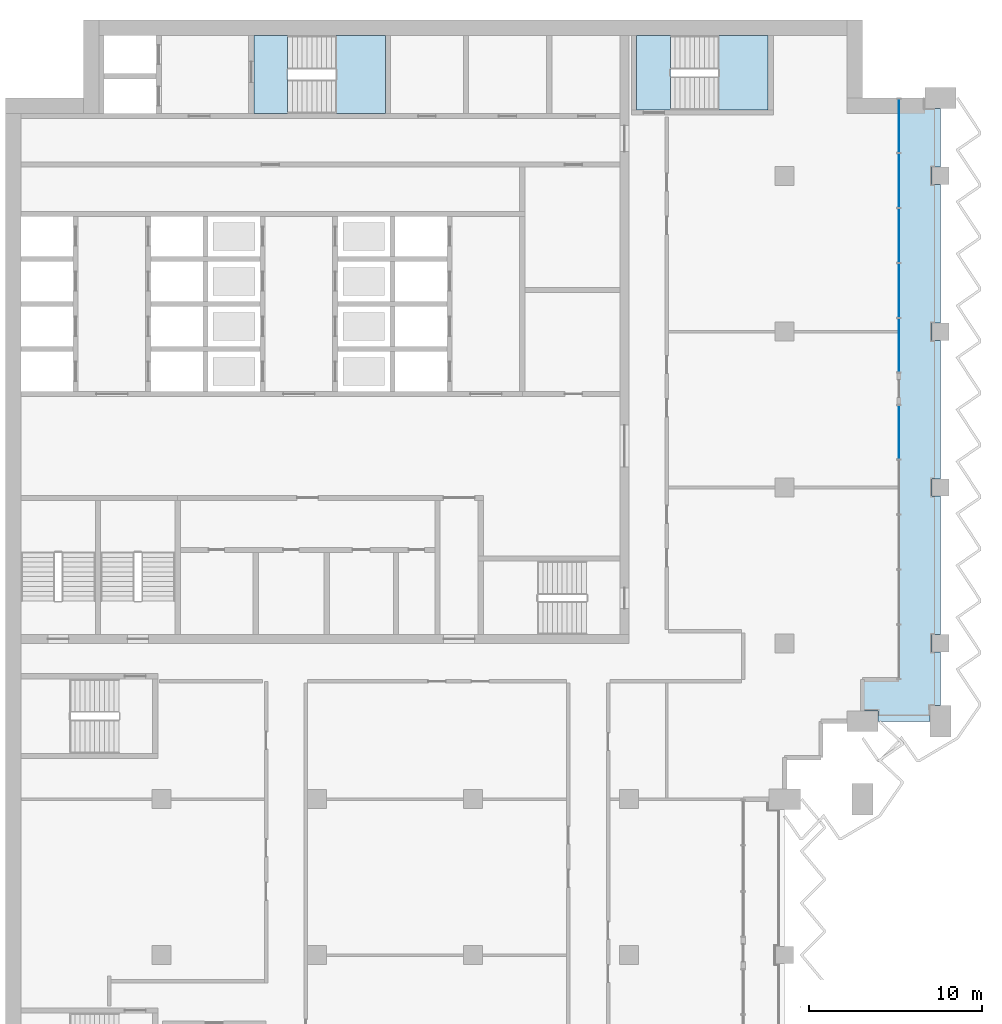
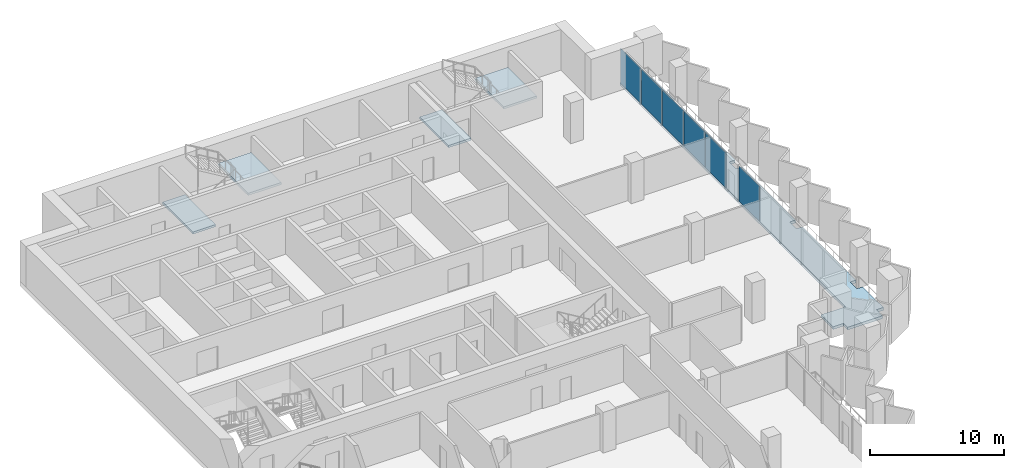
# One storey, part 5 of 18: 6 plates, 5 slabs, 4 elements without a shape of their own.
"""IFC4 building model written with IfcOpenShell, lengths in metres."""

from ifc_helpers import new_model, si_unit, direction, frame, origin, origin_2d, place, context, subcontext, project, spatial, polyline, rectangle, outline, extrude, material, layer, layer_set, type_object, element, aggregate, save


model = new_model("IFC4")

# Units and contexts
model_context = context("Model", 3, precision=1e-05, world=origin(), true_north=direction((0.0, 1.0)))
body_context = subcontext(model_context, "Body", "Model", "MODEL_VIEW")
ifc_project = project(units=[si_unit("LENGTHUNIT", "METRE"), si_unit("AREAUNIT", "SQUARE_METRE"), si_unit("VOLUMEUNIT", "CUBIC_METRE"), si_unit("PLANEANGLEUNIT", "RADIAN"), si_unit("MASSUNIT", "GRAM", prefix="KILO")], contexts=[model_context])

# Site, building, storey
site_placement = place(None, origin())
site = spatial("IfcSite", under=ifc_project, at=site_placement, CompositionType="ELEMENT")
building_placement = place(site_placement, origin())
building = spatial("IfcBuilding", under=site, at=building_placement, Name="Hunhe Ridgeline Campus", CompositionType="ELEMENT")
storey_placement = place(building_placement, frame((0.0, 0.0, 182.800048828125)))
storey = spatial("IfcBuildingStorey", under=building, at=storey_placement, Name="L46", CompositionType="ELEMENT", Elevation=182.800048828125)

# Curtain wall, plate
ifc_material_1 = material(Name="Aluminium 6063", Category="aluminium")
curtain_wall_type = type_object("IfcCurtainWallType", Name="Curtain wall CW-4", PredefinedType="NOTDEFINED", material=ifc_material_1)
curtain_wall_1_placement = place(storey_placement, origin())
curtain_wall_1 = element("IfcCurtainWall", 1, at=curtain_wall_1_placement, inside=storey, type_object=curtain_wall_type, Name="Curtain wall 15", PredefinedType="NOTDEFINED")
ifc_material_2 = material(Name="Low-e laminated glass", Category="glass")
ifc_layer_1 = layer(ifc_material_2, 0.028076171875)
ifc_layer_set_1 = layer_set([ifc_layer_1], Name="Curtain wall glass panel 28 low-e laminated")
plate_type = type_object("IfcPlateType", Name="Curtain wall glass panel 28 low-e laminated", PredefinedType="CURTAIN_PANEL", material=ifc_layer_set_1)
plate_1_placement = place(storey_placement, frame((51.59912109375, 75.1904296875, 0.0), z_axis=(0.0, 0.0, 1.0), x_axis=(0.0, 1.0, 0.0)))
plate_1 = element("IfcPlate", 2, at=plate_1_placement, type_object=plate_type, Name="CW-4 panel 5", PredefinedType="CURTAIN_PANEL", context=body_context, shape_type="SweptSolid", body=[
    extrude(rectangle(XDim=3.059814453125, YDim=0.028076171875, at=origin_2d()), origin(), (0.0, 0.0, 1.0), 3.219970703125),
])
aggregate(curtain_wall_1, [plate_1])

# Curtain wall, plates
curtain_wall_2_placement = place(storey_placement, origin())
curtain_wall_2 = element("IfcCurtainWall", 3, at=curtain_wall_2_placement, inside=storey, type_object=curtain_wall_type, Name="Curtain wall 16", PredefinedType="NOTDEFINED")
plate_2_placement = place(storey_placement, frame((51.59912109375, 80.21044921875, 0.0), z_axis=(0.0, 0.0, 1.0), x_axis=(0.0, 1.0, 0.0)))
plate_2 = element("IfcPlate", 4, at=plate_2_placement, type_object=plate_type, Name="CW-4 panel 1", PredefinedType="CURTAIN_PANEL", context=body_context, shape_type="SweptSolid", body=[
    extrude(rectangle(XDim=3.059814453125, YDim=0.028076171875, at=origin_2d()), origin(), (0.0, 0.0, 1.0), 3.219970703125),
])
plate_3_placement = place(storey_placement, frame((51.59912109375, 83.370361328125, 0.0), z_axis=(0.0, 0.0, 1.0), x_axis=(0.0, 1.0, 0.0)))
plate_3 = element("IfcPlate", 5, at=plate_3_placement, type_object=plate_type, Name="CW-4 panel 2", PredefinedType="CURTAIN_PANEL", context=body_context, shape_type="SweptSolid", body=[
    extrude(rectangle(XDim=3.099853515625, YDim=0.028076171875, at=origin_2d()), origin(), (0.0, 0.0, 1.0), 3.219970703125),
])
plate_4_placement = place(storey_placement, frame((51.59912109375, 86.55029296875, 0.0), z_axis=(0.0, 0.0, 1.0), x_axis=(0.0, 1.0, 0.0)))
plate_4 = element("IfcPlate", 6, at=plate_4_placement, type_object=plate_type, Name="CW-4 panel 3", PredefinedType="CURTAIN_PANEL", context=body_context, shape_type="SweptSolid", body=[
    extrude(rectangle(XDim=3.099853515625, YDim=0.028076171875, at=origin_2d()), origin(), (0.0, 0.0, 1.0), 3.219970703125),
])
plate_5_placement = place(storey_placement, frame((51.59912109375, 89.730224609375, 0.0), z_axis=(0.0, 0.0, 1.0), x_axis=(0.0, 1.0, 0.0)))
plate_5 = element("IfcPlate", 7, at=plate_5_placement, type_object=plate_type, Name="CW-4 panel 4", PredefinedType="CURTAIN_PANEL", context=body_context, shape_type="SweptSolid", body=[
    extrude(rectangle(XDim=3.099853515625, YDim=0.028076171875, at=origin_2d()), origin(), (0.0, 0.0, 1.0), 3.219970703125),
])
plate_6_placement = place(storey_placement, frame((51.59912109375, 92.89013671875, 0.0), z_axis=(0.0, 0.0, 1.0), x_axis=(0.0, 1.0, 0.0)))
plate_6 = element("IfcPlate", 8, at=plate_6_placement, type_object=plate_type, Name="CW-4 panel 5", PredefinedType="CURTAIN_PANEL", context=body_context, shape_type="SweptSolid", body=[
    extrude(rectangle(XDim=3.059814453125, YDim=0.028076171875, at=origin_2d()), origin(), (0.0, 0.0, 1.0), 3.219970703125),
])
aggregate(curtain_wall_2, [plate_2, plate_3, plate_4, plate_5, plate_6])

# Slab
ifc_material_3 = material(Name="Concrete C40", Category="concrete")
ifc_layer_2 = layer(ifc_material_3, 0.25)
ifc_layer_set_2 = layer_set([ifc_layer_2], Name="Loggia slab 250 Concrete C40")
slab_type_1 = type_object("IfcSlabType", Name="Loggia slab 250 Concrete C40", PredefinedType="FLOOR", material=ifc_layer_set_2)
slab_1_placement = place(storey_placement, frame((0.0, 0.0, -0.25)))
element("IfcSlab", 9, at=slab_1_placement, inside=storey, type_object=slab_type_1, Name="Loggia slab 2", PredefinedType="FLOOR", context=body_context, shape_type="SweptSolid", body=[
    extrude(outline(polyline([(49.5, 59.10009765625), (50.39990234375, 59.10009765625), (50.39990234375, 58.5), (53.39990234375, 58.5), (53.39990234375, 59.39990234375), (54.0, 59.39990234375), (54.0, 62.5), (53.5, 62.5), (53.5, 63.5), (54.0, 63.5), (54.0, 71.5), (53.5, 71.5), (53.5, 72.5), (54.0, 72.5), (54.0, 80.5), (53.5, 80.5), (53.5, 81.5), (54.0, 81.5), (54.0, 89.5), (53.5, 89.5), (53.5, 90.5), (54.0, 90.5), (54.0, 93.89990234375), (53.10009765625, 93.89990234375), (53.10009765625, 94.5), (51.60009765625, 94.5), (51.60009765625, 60.89990234375), (49.5, 60.89990234375), (49.5, 59.10009765625)])), origin(), (0.0, 0.0, 1.0), 0.25),
])

# Stair, slab
stair_type = type_object("IfcStairType", Name="Reinforced concrete dog-leg stair 1950 Concrete C40", PredefinedType="HALF_TURN_STAIR", material=ifc_material_3)
stair_1_placement = place(storey_placement, origin())
stair_1 = element("IfcStair", 10, at=stair_1_placement, inside=storey, type_object=stair_type, Name="L46 S1", PredefinedType="HALF_TURN_STAIR")
ifc_layer_3 = layer(ifc_material_3, 0.199951171875)
ifc_layer_set_3 = layer_set([ifc_layer_3], Name="Reinforced concrete stair landing 200 Concrete C40")
slab_type_2 = type_object("IfcSlabType", Name="Reinforced concrete stair landing 200 Concrete C40", PredefinedType="LANDING", material=ifc_layer_set_3)
slab_2_placement = place(storey_placement, frame((0.0, 0.0, 1.64990234375)))
slab_2 = element("IfcSlab", 11, at=slab_2_placement, type_object=slab_type_2, Name="ST1 landing 1", PredefinedType="LANDING", context=body_context, shape_type="SweptSolid", body=[
    extrude(outline(polyline([(19.10009765625, 93.60009765625), (21.949951171875, 93.60009765625), (21.949951171875, 98.10009765625), (19.10009765625, 98.10009765625), (19.10009765625, 93.60009765625)])), origin(), (0.0, 0.0, 1.0), 0.199951171875),
])
aggregate(stair_1, [slab_2])

# Slab
slab_3_placement = place(storey_placement, frame((0.0, 0.0, -0.199951171875)))
element("IfcSlab", 12, at=slab_3_placement, inside=storey, type_object=slab_type_2, Name="L46 stair S1 floor landing", PredefinedType="LANDING", context=body_context, shape_type="SweptSolid", body=[
    extrude(outline(polyline([(14.35009765625, 93.60009765625), (16.300048828125, 93.60009765625), (16.300048828125, 98.10009765625), (14.35009765625, 98.10009765625), (14.35009765625, 93.60009765625)])), origin(), (0.0, 0.0, 1.0), 0.199951171875),
])

# Stair, slab
stair_2_placement = place(storey_placement, origin())
stair_2 = element("IfcStair", 13, at=stair_2_placement, inside=storey, type_object=stair_type, Name="L46 E1", PredefinedType="HALF_TURN_STAIR")
slab_4_placement = place(storey_placement, frame((0.0, 0.0, 1.64990234375)))
slab_4 = element("IfcSlab", 14, at=slab_4_placement, type_object=slab_type_2, Name="ST5 landing 1", PredefinedType="LANDING", context=body_context, shape_type="SweptSolid", body=[
    extrude(outline(polyline([(41.199951171875, 93.800048828125), (44.050048828125, 93.800048828125), (44.050048828125, 98.10009765625), (41.199951171875, 98.10009765625), (41.199951171875, 93.800048828125)])), origin(), (0.0, 0.0, 1.0), 0.199951171875),
])
aggregate(stair_2, [slab_4])

# Slab
slab_5_placement = place(storey_placement, frame((0.0, 0.0, -0.199951171875)))
element("IfcSlab", 15, at=slab_5_placement, inside=storey, type_object=slab_type_2, Name="L46 stair E1 floor landing", PredefinedType="LANDING", context=body_context, shape_type="SweptSolid", body=[
    extrude(outline(polyline([(36.449951171875, 93.800048828125), (38.39990234375, 93.800048828125), (38.39990234375, 98.10009765625), (36.449951171875, 98.10009765625), (36.449951171875, 93.800048828125)])), origin(), (0.0, 0.0, 1.0), 0.199951171875),
])

save(model, "model.ifc")
